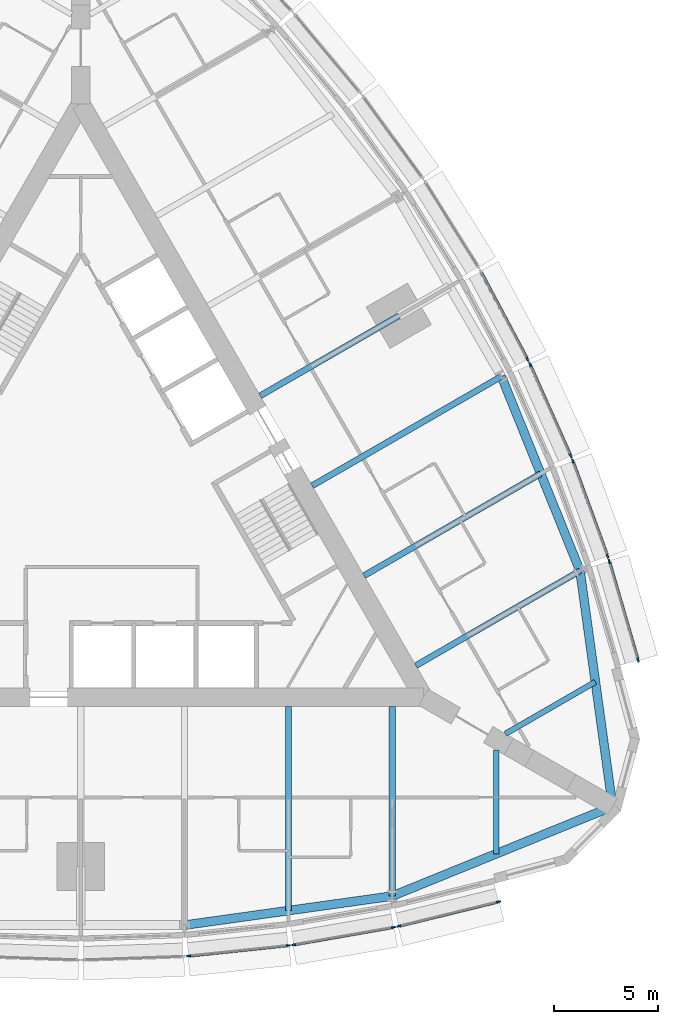
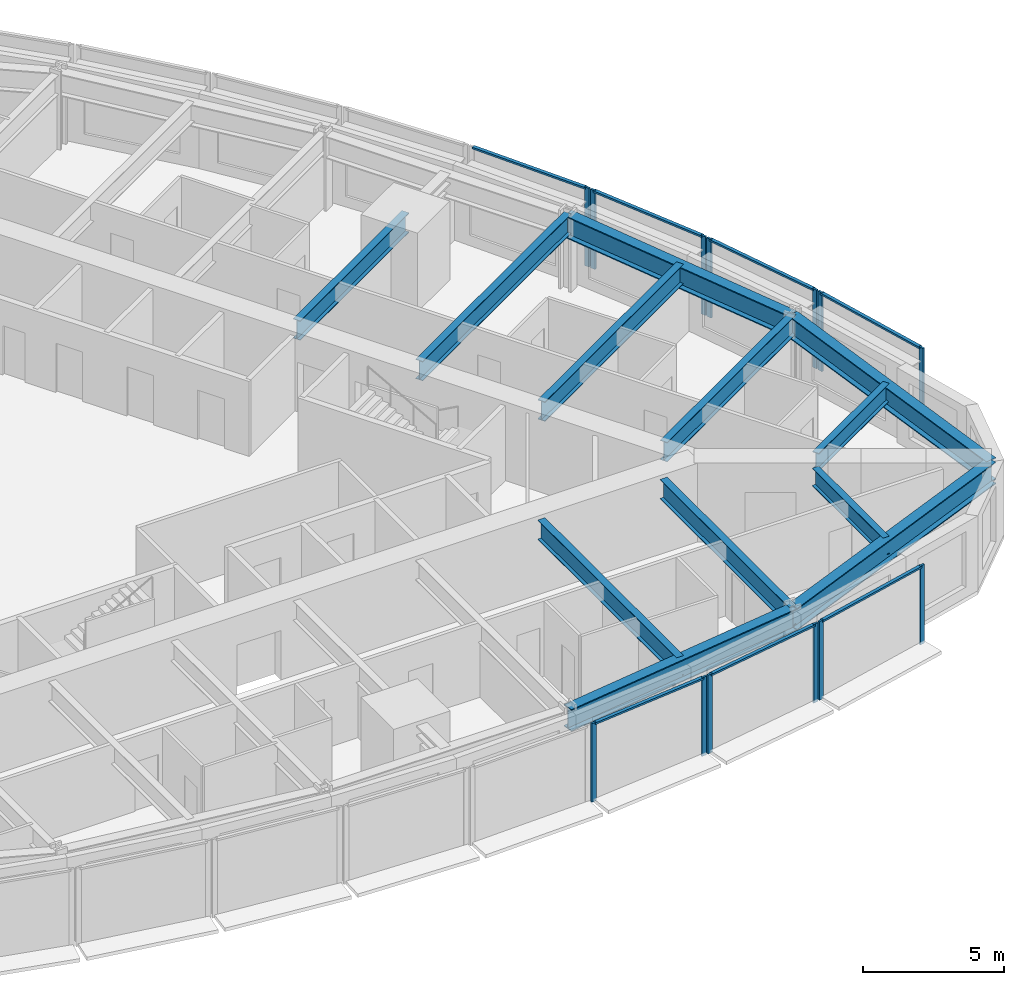
# One storey, part 3 of 14: 20 members, 12 beams, 7 elements without a shape of their own.
"""IFC4 building model written with IfcOpenShell, lengths in metres."""

from ifc_helpers import new_model, si_unit, direction, frame, origin, origin_2d, place, context, subcontext, project, spatial, rectangle, i_section, extrude, material, material_profile, profile_set, type_object, element, aggregate, save


model = new_model("IFC4")

# Units and contexts
model_context = context("Model", 3, precision=1e-05, world=origin(), true_north=direction((0.0, 1.0)))
body_context = subcontext(model_context, "Body", "Model", "MODEL_VIEW")
ifc_project = project(units=[si_unit("LENGTHUNIT", "METRE"), si_unit("AREAUNIT", "SQUARE_METRE"), si_unit("VOLUMEUNIT", "CUBIC_METRE"), si_unit("PLANEANGLEUNIT", "RADIAN"), si_unit("MASSUNIT", "GRAM", prefix="KILO")], contexts=[model_context])

# Site, building, storey
site_placement = place(None, origin())
site = spatial("IfcSite", under=ifc_project, at=site_placement, CompositionType="ELEMENT")
building_placement = place(site_placement, origin())
building = spatial("IfcBuilding", under=site, at=building_placement, Name="Trikona Tower", CompositionType="ELEMENT")
storey_placement = place(building_placement, frame((0.0, 0.0, 131.699951171875)))
storey = spatial("IfcBuildingStorey", under=building, at=storey_placement, Name="L34", CompositionType="ELEMENT", Elevation=131.699951171875)

# Curtain wall, members
ifc_material_1 = material(Name="Aluminium curtain wall system", Category="aluminium")
curtain_wall_type = type_object("IfcCurtainWallType", Name="Curtain wall DS2", PredefinedType="NOTDEFINED", material=ifc_material_1)
curtain_wall_1_placement = place(storey_placement, origin())
curtain_wall_1 = element("IfcCurtainWall", 1, at=curtain_wall_1_placement, inside=storey, type_object=curtain_wall_type, Name="Curtain wall DS2 L34", PredefinedType="NOTDEFINED")
ifc_material_2 = material(Name="Aluminium mullion, pale anodised", Category="aluminium")
ifc_material_profile_1 = material_profile(ifc_material_2, rectangle(XDim=0.080078125, YDim=0.199951171875, at=origin_2d()), Name="MUL-DS2")
ifc_profile_set_1 = profile_set([ifc_material_profile_1], Name="Aluminium mullion, pale anodised")
member_type_1 = type_object("IfcMemberType", Name="Mullion DS2 80x200", PredefinedType="MULLION", material=ifc_profile_set_1)
member_1_placement = place(storey_placement, frame((5.193359375, -21.98486328125, 0.0), z_axis=(0.0, 0.0, 1.0), x_axis=(-0.104433387357, 0.994531883654, 0.0)))
member_1 = element("IfcMember", 2, at=member_1_placement, type_object=member_type_1, Name="CW-DS2 mullion 1", PredefinedType="MULLION", context=body_context, shape_type="SweptSolid", body=[
    extrude(rectangle(XDim=0.080078125, YDim=0.199951171875, at=origin_2d()), origin(), (0.0, 0.0, 1.0), 3.400146484375),
])
member_2_placement = place(storey_placement, frame((9.99462890625, -21.480712890625, 0.0), z_axis=(0.0, 0.0, 1.0), x_axis=(-0.104433387357, 0.994531883654, 0.0)))
member_2 = element("IfcMember", 3, at=member_2_placement, type_object=member_type_1, Name="CW-DS2 mullion 2", PredefinedType="MULLION", context=body_context, shape_type="SweptSolid", body=[
    extrude(rectangle(XDim=0.080078125, YDim=0.199951171875, at=origin_2d()), origin(), (0.0, 0.0, 1.0), 3.400146484375),
])

curtain_wall_2_placement = place(storey_placement, origin())
curtain_wall_2 = element("IfcCurtainWall", 4, at=curtain_wall_2_placement, inside=storey, type_object=curtain_wall_type, Name="Curtain wall DS2 L34", PredefinedType="NOTDEFINED")
member_3_placement = place(storey_placement, frame((10.253662109375, -21.444580078125, 0.0), z_axis=(0.0, 0.0, 1.0), x_axis=(-0.17237739505, 0.985030981074, 0.0)))
member_3 = element("IfcMember", 5, at=member_3_placement, type_object=member_type_1, Name="CW-DS2 mullion 1", PredefinedType="MULLION", context=body_context, shape_type="SweptSolid", body=[
    extrude(rectangle(XDim=0.080078125, YDim=0.199951171875, at=origin_2d()), origin(), (0.0, 0.0, 1.0), 3.400146484375),
])
member_4_placement = place(storey_placement, frame((15.056640625, -20.60400390625, 0.0), z_axis=(0.0, 0.0, 1.0), x_axis=(-0.17237739505, 0.985030981074, 0.0)))
member_4 = element("IfcMember", 6, at=member_4_placement, type_object=member_type_1, Name="CW-DS2 mullion 2", PredefinedType="MULLION", context=body_context, shape_type="SweptSolid", body=[
    extrude(rectangle(XDim=0.080078125, YDim=0.199951171875, at=origin_2d()), origin(), (0.0, 0.0, 1.0), 3.400146484375),
])

curtain_wall_3_placement = place(storey_placement, origin())
curtain_wall_3 = element("IfcCurtainWall", 7, at=curtain_wall_3_placement, inside=storey, type_object=curtain_wall_type, Name="Curtain wall DS2 L34", PredefinedType="NOTDEFINED")
member_5_placement = place(storey_placement, frame((15.311279296875, -20.550537109375, 0.0), z_axis=(0.0, 0.0, 1.0), x_axis=(-0.237970204243, 0.971272455026, 0.0)))
member_5 = element("IfcMember", 8, at=member_5_placement, type_object=member_type_1, Name="CW-DS2 mullion 1", PredefinedType="MULLION", context=body_context, shape_type="SweptSolid", body=[
    extrude(rectangle(XDim=0.080078125, YDim=0.199951171875, at=origin_2d()), origin(), (0.0, 0.0, 1.0), 3.400146484375),
])
member_6_placement = place(storey_placement, frame((20.116943359375, -19.373046875, 0.0), z_axis=(0.0, 0.0, 1.0), x_axis=(-0.237970204243, 0.971272455026, 0.0)))
member_6 = element("IfcMember", 9, at=member_6_placement, type_object=member_type_1, Name="CW-DS2 mullion 2", PredefinedType="MULLION", context=body_context, shape_type="SweptSolid", body=[
    extrude(rectangle(XDim=0.080078125, YDim=0.199951171875, at=origin_2d()), origin(), (0.0, 0.0, 1.0), 3.400146484375),
])

curtain_wall_4_placement = place(storey_placement, origin())
curtain_wall_4 = element("IfcCurtainWall", 10, at=curtain_wall_4_placement, inside=storey, type_object=curtain_wall_type, Name="Curtain wall DS2 L34", PredefinedType="NOTDEFINED")
member_7_placement = place(storey_placement, frame((26.836181640625, -7.7353515625, 0.0), z_axis=(0.0, 0.0, 1.0), x_axis=(-0.96013310152, -0.279543247757, 0.0)))
member_7 = element("IfcMember", 11, at=member_7_placement, type_object=member_type_1, Name="CW-DS2 mullion 1", PredefinedType="MULLION", context=body_context, shape_type="SweptSolid", body=[
    extrude(rectangle(XDim=0.080078125, YDim=0.199951171875, at=origin_2d()), origin(), (0.0, 0.0, 1.0), 3.400146484375),
])
member_8_placement = place(storey_placement, frame((25.452880859375, -2.984619140625, 0.0), z_axis=(0.0, 0.0, 1.0), x_axis=(-0.96013310152, -0.279543247757, 0.0)))
member_8 = element("IfcMember", 12, at=member_8_placement, type_object=member_type_1, Name="CW-DS2 mullion 2", PredefinedType="MULLION", context=body_context, shape_type="SweptSolid", body=[
    extrude(rectangle(XDim=0.080078125, YDim=0.199951171875, at=origin_2d()), origin(), (0.0, 0.0, 1.0), 3.400146484375),
])

curtain_wall_5_placement = place(storey_placement, origin())
curtain_wall_5 = element("IfcCurtainWall", 13, at=curtain_wall_5_placement, inside=storey, type_object=curtain_wall_type, Name="Curtain wall DS2 L34", PredefinedType="NOTDEFINED")
member_9_placement = place(storey_placement, frame((25.371826171875, -2.737548828125, 0.0), z_axis=(0.0, 0.0, 1.0), x_axis=(-0.939253790978, -0.343223420143, 0.0)))
member_9 = element("IfcMember", 14, at=member_9_placement, type_object=member_type_1, Name="CW-DS2 mullion 1", PredefinedType="MULLION", context=body_context, shape_type="SweptSolid", body=[
    extrude(rectangle(XDim=0.080078125, YDim=0.199951171875, at=origin_2d()), origin(), (0.0, 0.0, 1.0), 3.400146484375),
])
member_10_placement = place(storey_placement, frame((23.6982421875, 1.84228515625, 0.0), z_axis=(0.0, 0.0, 1.0), x_axis=(-0.939253790978, -0.343223420143, 0.0)))
member_10 = element("IfcMember", 15, at=member_10_placement, type_object=member_type_1, Name="CW-DS2 mullion 2", PredefinedType="MULLION", context=body_context, shape_type="SweptSolid", body=[
    extrude(rectangle(XDim=0.080078125, YDim=0.199951171875, at=origin_2d()), origin(), (0.0, 0.0, 1.0), 3.400146484375),
])

curtain_wall_6_placement = place(storey_placement, origin())
curtain_wall_6 = element("IfcCurtainWall", 16, at=curtain_wall_6_placement, inside=storey, type_object=curtain_wall_type, Name="Curtain wall DS2 L34", PredefinedType="NOTDEFINED")
member_11_placement = place(storey_placement, frame((23.60009765625, 2.0849609375, 0.0), z_axis=(0.0, 0.0, 1.0), x_axis=(-0.913501208767, -0.406836013132, 0.0)))
member_11 = element("IfcMember", 17, at=member_11_placement, type_object=member_type_1, Name="CW-DS2 mullion 1", PredefinedType="MULLION", context=body_context, shape_type="SweptSolid", body=[
    extrude(rectangle(XDim=0.080078125, YDim=0.199951171875, at=origin_2d()), origin(), (0.0, 0.0, 1.0), 3.400146484375),
])
member_12_placement = place(storey_placement, frame((21.63623046875, 6.494873046875, 0.0), z_axis=(0.0, 0.0, 1.0), x_axis=(-0.913501208767, -0.406836013132, 0.0)))
member_12 = element("IfcMember", 18, at=member_12_placement, type_object=member_type_1, Name="CW-DS2 mullion 2", PredefinedType="MULLION", context=body_context, shape_type="SweptSolid", body=[
    extrude(rectangle(XDim=0.080078125, YDim=0.199951171875, at=origin_2d()), origin(), (0.0, 0.0, 1.0), 3.400146484375),
])

# Curtain wall, member
curtain_wall_7_placement = place(storey_placement, origin())
curtain_wall_7 = element("IfcCurtainWall", 19, at=curtain_wall_7_placement, inside=storey, type_object=curtain_wall_type, Name="Curtain wall DS2 L34", PredefinedType="NOTDEFINED")
member_13_placement = place(storey_placement, frame((21.52099609375, 6.730712890625, 0.0), z_axis=(0.0, 0.0, 1.0), x_axis=(-0.882996107343, -0.469380308937, 0.0)))
member_13 = element("IfcMember", 20, at=member_13_placement, type_object=member_type_1, Name="CW-DS2 mullion 1", PredefinedType="MULLION", context=body_context, shape_type="SweptSolid", body=[
    extrude(rectangle(XDim=0.080078125, YDim=0.199951171875, at=origin_2d()), origin(), (0.0, 0.0, 1.0), 3.400146484375),
])

# Beams
ifc_material_3 = material(Name="Steel ASTM A992 Grade 50", Category="steel")
ifc_material_profile_2 = material_profile(ifc_material_3, i_section(OverallWidth=0.2666015625, OverallDepth=0.76953125, WebThickness=0.015625, FlangeThickness=0.025390625, at=origin_2d()), Name="W30X132")
ifc_profile_set_2 = profile_set([ifc_material_profile_2], Name="Steel ASTM A992 Grade 50")
beam_type_1 = type_object("IfcBeamType", Name="Steel beam W30x132 (wedge)", PredefinedType="BEAM", material=ifc_profile_set_2)
beam_1_placement = place(storey_placement, frame((20.0, -12.066650390625, 2.850341796875), z_axis=(0.0, -1.0, 0.0), x_axis=(1.0, 0.0, 0.0)))
element("IfcBeam", 21, at=beam_1_placement, inside=storey, type_object=beam_type_1, Name="Floor beam L35 F1 u20", PredefinedType="BEAM", context=body_context, shape_type="SweptSolid", body=[
    extrude(i_section(OverallWidth=0.2666015625, OverallDepth=0.76953125, WebThickness=0.015625, FlangeThickness=0.025390625, at=origin_2d()), origin(), (0.0, 0.0, 1.0), 5.00048828125),
])
beam_2_placement = place(storey_placement, frame((20.449951171875, -11.287109375, 2.850341796875), z_axis=(0.866038434829, 0.49997742889, 0.0), x_axis=(-0.49997742889, 0.866038434829, 0.0)))
element("IfcBeam", 22, at=beam_2_placement, inside=storey, type_object=beam_type_1, Name="Floor beam L35 F2 u-20", PredefinedType="BEAM", context=body_context, shape_type="SweptSolid", body=[
    extrude(i_section(OverallWidth=0.2666015625, OverallDepth=0.76953125, WebThickness=0.015625, FlangeThickness=0.025390625, at=origin_2d()), origin(), (0.0, 0.0, 1.0), 5.000732421875),
])
ifc_material_4 = material(Name="Steel ASTM A992 Grade 50", Category="steel")
ifc_material_profile_3 = material_profile(ifc_material_4, i_section(OverallWidth=0.2919921875, OverallDepth=0.845703125, WebThickness=0.015380859375, FlangeThickness=0.0244140625, at=origin_2d()), Name="W33X141")
ifc_profile_set_3 = profile_set([ifc_material_profile_3], Name="Steel ASTM A992 Grade 50")
beam_type_2 = type_object("IfcBeamType", Name="Steel beam W33x141 (radial typ)", PredefinedType="BEAM", material=ifc_profile_set_3)
beam_3_placement = place(storey_placement, frame((10.0, -9.976318359375, 2.812255859375), z_axis=(0.0, -1.0, 0.0), x_axis=(1.0, 0.0, 0.0)))
element("IfcBeam", 23, at=beam_3_placement, inside=storey, type_object=beam_type_2, Name="Floor beam L35 F1 u10", PredefinedType="BEAM", context=body_context, shape_type="SweptSolid", body=[
    extrude(i_section(OverallWidth=0.2919921875, OverallDepth=0.845703125, WebThickness=0.015380859375, FlangeThickness=0.0244140625, at=origin_2d()), origin(), (0.0, 0.0, 1.0), 9.823974609375),
])
beam_4_placement = place(storey_placement, frame((15.0, -9.976318359375, 2.812255859375), z_axis=(0.0, -1.0, 0.0), x_axis=(1.0, 0.0, 0.0)))
element("IfcBeam", 24, at=beam_4_placement, inside=storey, type_object=beam_type_2, Name="Floor beam L35 F1 u15", PredefinedType="BEAM", context=body_context, shape_type="SweptSolid", body=[
    extrude(i_section(OverallWidth=0.2919921875, OverallDepth=0.845703125, WebThickness=0.015380859375, FlangeThickness=0.0244140625, at=origin_2d()), origin(), (0.0, 0.0, 1.0), 9.123779296875),
])
beam_5_placement = place(storey_placement, frame((16.1396484375, -8.002197265625, 2.812255859375), z_axis=(0.866024725532, 0.500001174766, 0.0), x_axis=(-0.500001174766, 0.866024725532, 0.0)))
element("IfcBeam", 25, at=beam_5_placement, inside=storey, type_object=beam_type_2, Name="Floor beam L35 F2 u-15", PredefinedType="BEAM", context=body_context, shape_type="SweptSolid", body=[
    extrude(i_section(OverallWidth=0.2919921875, OverallDepth=0.845703125, WebThickness=0.015380859375, FlangeThickness=0.0244140625, at=origin_2d()), origin(), (0.0, 0.0, 1.0), 9.1240234375),
])
beam_6_placement = place(storey_placement, frame((13.6396484375, -3.672119140625, 2.812255859375), z_axis=(0.866020046725, 0.500009278584, 0.0), x_axis=(-0.500009278584, 0.866020046725, 0.0)))
element("IfcBeam", 26, at=beam_6_placement, inside=storey, type_object=beam_type_2, Name="Floor beam L35 F2 u-10", PredefinedType="BEAM", context=body_context, shape_type="SweptSolid", body=[
    extrude(i_section(OverallWidth=0.2919921875, OverallDepth=0.845703125, WebThickness=0.015380859375, FlangeThickness=0.0244140625, at=origin_2d()), origin(), (0.0, 0.0, 1.0), 9.823974609375),
])
beam_7_placement = place(storey_placement, frame((11.1396484375, 0.657958984375, 2.812255859375), z_axis=(0.866026035623, 0.499998905622, 0.0), x_axis=(-0.499998905622, 0.866026035623, 0.0)))
element("IfcBeam", 27, at=beam_7_placement, inside=storey, type_object=beam_type_2, Name="Floor beam L35 F2 u-5", PredefinedType="BEAM", context=body_context, shape_type="SweptSolid", body=[
    extrude(i_section(OverallWidth=0.2919921875, OverallDepth=0.845703125, WebThickness=0.015380859375, FlangeThickness=0.0244140625, at=origin_2d()), origin(), (0.0, 0.0, 1.0), 10.52392578125),
])
beam_8_placement = place(storey_placement, frame((8.6396484375, 4.988037109375, 2.812255859375), z_axis=(0.866017246294, 0.500014128921, 0.0), x_axis=(-0.500014128921, 0.866017246294, 0.0)))
element("IfcBeam", 28, at=beam_8_placement, inside=storey, type_object=beam_type_2, Name="Floor beam L35 F2 u0", PredefinedType="BEAM", context=body_context, shape_type="SweptSolid", body=[
    extrude(i_section(OverallWidth=0.2919921875, OverallDepth=0.845703125, WebThickness=0.015380859375, FlangeThickness=0.0244140625, at=origin_2d()), origin(), (0.0, 0.0, 1.0), 7.704345703125),
])
ifc_material_5 = material(Name="Steel ASTM A992 Grade 50", Category="steel")
ifc_material_profile_4 = material_profile(ifc_material_5, i_section(OverallWidth=0.424072265625, OverallDepth=0.947509765625, WebThickness=0.02392578125, FlangeThickness=0.042724609375, at=origin_2d()), Name="W36X302")
ifc_profile_set_4 = profile_set([ifc_material_profile_4], Name="Steel ASTM A992 Grade 50")
beam_type_3 = type_object("IfcBeamType", Name="Steel beam W36x302 (spandrel)", PredefinedType="SPANDREL", material=ifc_profile_set_4)
beam_9_placement = place(storey_placement, frame((5.0, -20.500244140625, 2.76123046875), z_axis=(0.990339754644, 0.13866207258, 0.0), x_axis=(-0.13866207258, 0.990339754644, 0.0)))
element("IfcBeam", 29, at=beam_9_placement, inside=storey, type_object=beam_type_3, Name="Spandrel beam L35 F1-4", PredefinedType="SPANDREL", context=body_context, shape_type="SweptSolid", body=[
    extrude(i_section(OverallWidth=0.424072265625, OverallDepth=0.947509765625, WebThickness=0.02392578125, FlangeThickness=0.042724609375, at=origin_2d()), origin(), (0.0, 0.0, 1.0), 10.09765625),
])
for number, where, z_axis, x_axis, name in (
    (30, (15.0, -19.10009765625, 2.76123046875), (0.926359695662, 0.376640032728, 0.0), (-0.376640032728, 0.926359695662, 0.0), "Spandrel beam L35 F1-5"),
    (31, (25.6103515625, -14.7861328125, 2.76123046875), (-0.136991535842, 0.990572218017, 0.0), (-0.990572218017, -0.136991535842, 0.0), "Spandrel beam L35 F2-1"),
):
    element("IfcBeam", number, at=place(storey_placement, frame(where, z_axis=z_axis, x_axis=x_axis)), inside=storey, type_object=beam_type_3, Name=name, PredefinedType="SPANDREL", context=body_context, shape_type="SweptSolid", body=[
        extrude(i_section(OverallWidth=0.424072265625, OverallDepth=0.947509765625, WebThickness=0.02392578125, FlangeThickness=0.042724609375, at=origin_2d()), origin(), (0.0, 0.0, 1.0), 11.453857421875),
    ])
beam_10_placement = place(storey_placement, frame((24.041259765625, -3.440185546875, 2.76123046875), z_axis=(-0.375106193787, 0.926981846307, 0.0), x_axis=(-0.926981846307, -0.375106193787, 0.0)))
element("IfcBeam", 32, at=beam_10_placement, inside=storey, type_object=beam_type_3, Name="Spandrel beam L35 F2-2", PredefinedType="SPANDREL", context=body_context, shape_type="SweptSolid", body=[
    extrude(i_section(OverallWidth=0.424072265625, OverallDepth=0.947509765625, WebThickness=0.02392578125, FlangeThickness=0.042724609375, at=origin_2d()), origin(), (0.0, 0.0, 1.0), 10.097412109375),
])

# Member
ifc_material_6 = material(Name="Aluminium transom, pale anodised", Category="aluminium")
ifc_material_profile_5 = material_profile(ifc_material_6, rectangle(XDim=0.139892578125, YDim=0.080078125, at=origin_2d()), Name="TRN-DS2")
ifc_profile_set_5 = profile_set([ifc_material_profile_5], Name="Aluminium transom, pale anodised")
member_type_2 = type_object("IfcMemberType", Name="Transom DS2 80x140", PredefinedType="USERDEFINED", material=ifc_profile_set_5)
member_14_placement = place(storey_placement, frame((5.233154296875, -21.980712890625, 3.360107421875), z_axis=(0.99453106441, 0.104441188822, 0.0), x_axis=(-0.104441188822, 0.99453106441, 0.0)))
member_14 = element("IfcMember", 33, at=member_14_placement, type_object=member_type_2, Name="CW-DS2 transom 1.1", ObjectType="TRANSOM", PredefinedType="USERDEFINED", context=body_context, shape_type="SweptSolid", body=[
    extrude(rectangle(XDim=0.139892578125, YDim=0.080078125, at=origin_2d()), origin(), (0.0, 0.0, 1.0), 4.74755859375),
])

aggregate(curtain_wall_1, [member_1, member_2, member_14])

member_15_placement = place(storey_placement, frame((10.29296875, -21.4375, 3.360107421875), z_axis=(0.98503262804, 0.172367983387, 0.0), x_axis=(-0.172367983387, 0.98503262804, 0.0)))
member_15 = element("IfcMember", 34, at=member_15_placement, type_object=member_type_2, Name="CW-DS2 transom 1.1", ObjectType="TRANSOM", PredefinedType="USERDEFINED", context=body_context, shape_type="SweptSolid", body=[
    extrude(rectangle(XDim=0.139892578125, YDim=0.080078125, at=origin_2d()), origin(), (0.0, 0.0, 1.0), 4.7958984375),
])

aggregate(curtain_wall_2, [member_3, member_4, member_15])

member_16_placement = place(storey_placement, frame((15.35009765625, -20.541015625, 3.360107421875), z_axis=(0.971270583303, 0.237977843528, 0.0), x_axis=(-0.237977843528, 0.971270583303, 0.0)))
member_16 = element("IfcMember", 35, at=member_16_placement, type_object=member_type_2, Name="CW-DS2 transom 1.1", ObjectType="TRANSOM", PredefinedType="USERDEFINED", context=body_context, shape_type="SweptSolid", body=[
    extrude(rectangle(XDim=0.139892578125, YDim=0.080078125, at=origin_2d()), origin(), (0.0, 0.0, 1.0), 4.867919921875),
])

aggregate(curtain_wall_3, [member_5, member_6, member_16])

member_17_placement = place(storey_placement, frame((26.824951171875, -7.69677734375, 3.360107421875), z_axis=(-0.279566628153, 0.960126293996, 0.0), x_axis=(-0.960126293996, -0.279566628153, 0.0)))
member_17 = element("IfcMember", 36, at=member_17_placement, type_object=member_type_2, Name="CW-DS2 transom 1.1", ObjectType="TRANSOM", PredefinedType="USERDEFINED", context=body_context, shape_type="SweptSolid", body=[
    extrude(rectangle(XDim=0.139892578125, YDim=0.080078125, at=origin_2d()), origin(), (0.0, 0.0, 1.0), 4.86767578125),
])

aggregate(curtain_wall_4, [member_7, member_8, member_17])

member_18_placement = place(storey_placement, frame((25.358154296875, -2.699951171875, 3.360107421875), z_axis=(-0.343205907674, 0.939260190223, 0.0), x_axis=(-0.939260190223, -0.343205907674, 0.0)))
member_18 = element("IfcMember", 37, at=member_18_placement, type_object=member_type_2, Name="CW-DS2 transom 1.1", ObjectType="TRANSOM", PredefinedType="USERDEFINED", context=body_context, shape_type="SweptSolid", body=[
    extrude(rectangle(XDim=0.139892578125, YDim=0.080078125, at=origin_2d()), origin(), (0.0, 0.0, 1.0), 4.7958984375),
])

aggregate(curtain_wall_5, [member_9, member_10, member_18])

member_19_placement = place(storey_placement, frame((23.583740234375, 2.12158203125, 3.360107421875), z_axis=(-0.406839769607, 0.913499535778, 0.0), x_axis=(-0.913499535778, -0.406839769607, 0.0)))
member_19 = element("IfcMember", 38, at=member_19_placement, type_object=member_type_2, Name="CW-DS2 transom 1.1", ObjectType="TRANSOM", PredefinedType="USERDEFINED", context=body_context, shape_type="SweptSolid", body=[
    extrude(rectangle(XDim=0.139892578125, YDim=0.080078125, at=origin_2d()), origin(), (0.0, 0.0, 1.0), 4.747314453125),
])

aggregate(curtain_wall_6, [member_11, member_12, member_19])

member_20_placement = place(storey_placement, frame((21.502197265625, 6.76611328125, 3.360107421875), z_axis=(-0.469364343408, 0.883004594063, 0.0), x_axis=(-0.883004594063, -0.469364343408, 0.0)))
member_20 = element("IfcMember", 39, at=member_20_placement, type_object=member_type_2, Name="CW-DS2 transom 1.1", ObjectType="TRANSOM", PredefinedType="USERDEFINED", context=body_context, shape_type="SweptSolid", body=[
    extrude(rectangle(XDim=0.139892578125, YDim=0.080078125, at=origin_2d()), origin(), (0.0, 0.0, 1.0), 4.722900390625),
])

aggregate(curtain_wall_7, [member_13, member_20])

save(model, "model.ifc")
